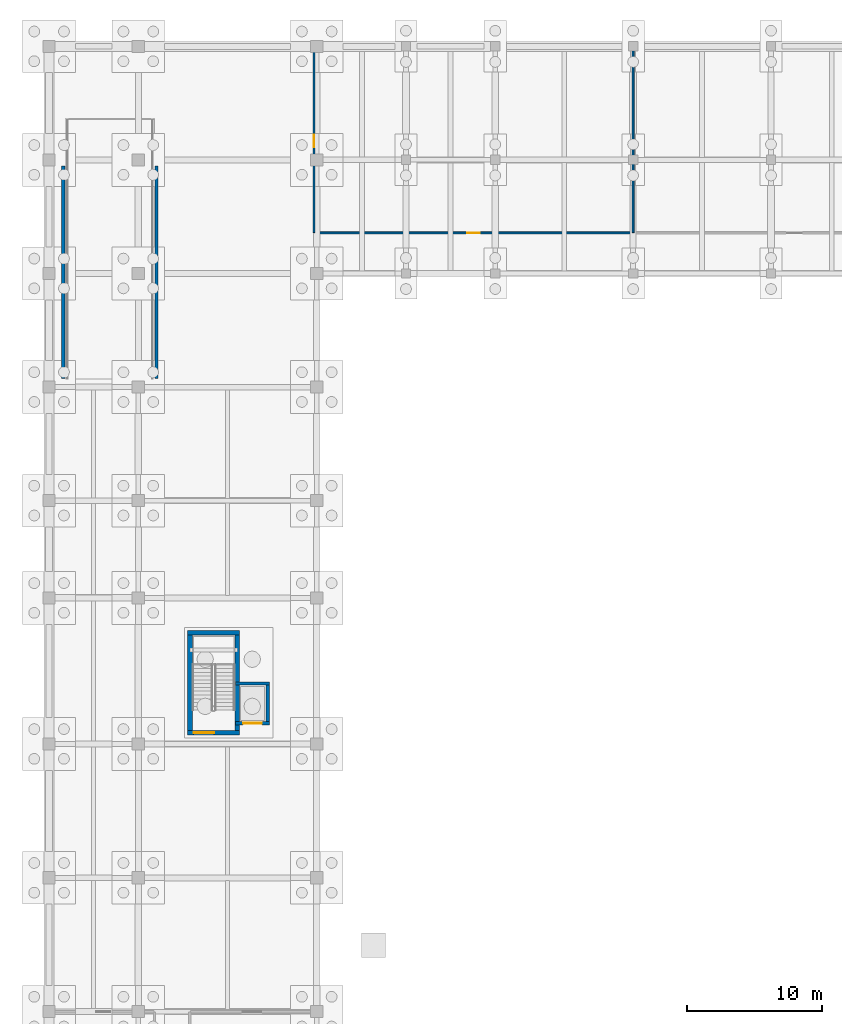
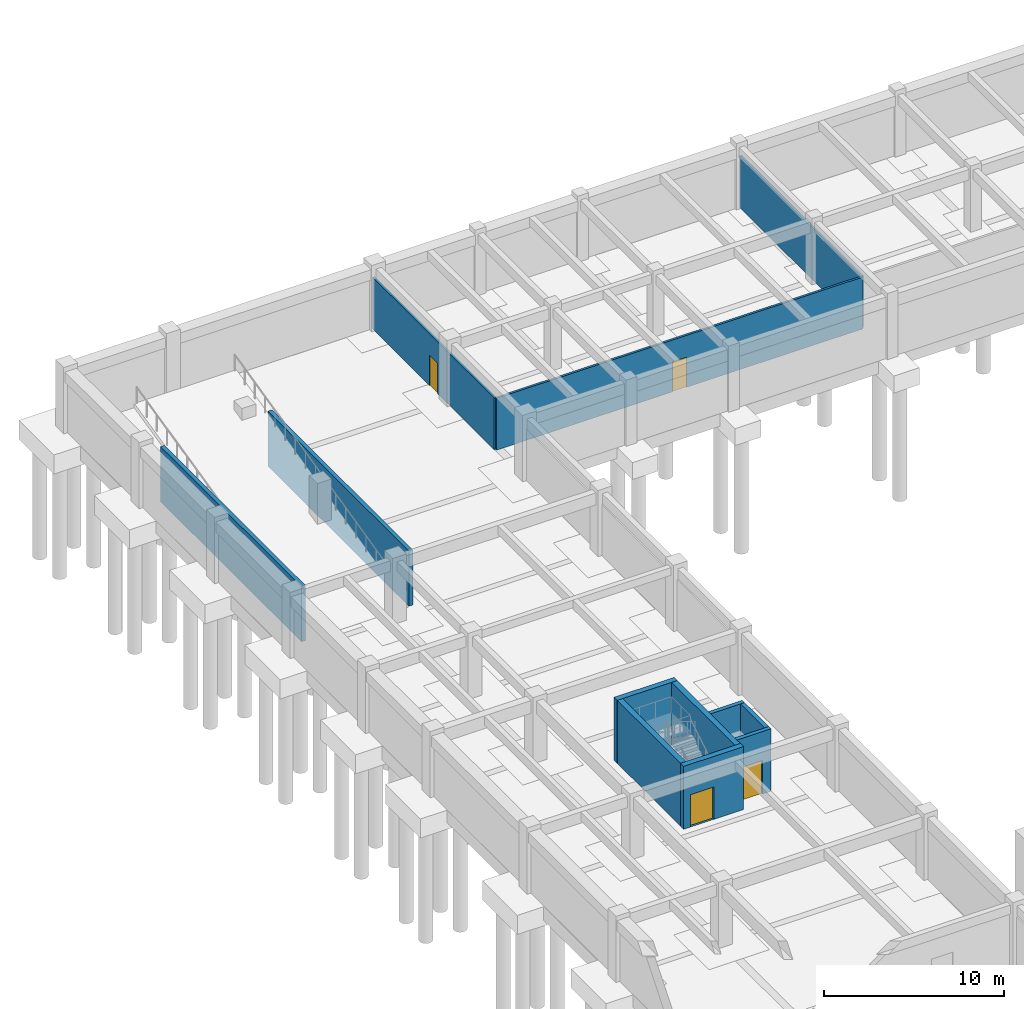
# One storey, part 19 of 28: 12 walls, 4 doors, 4 openings.
"""IFC4 building model written with IfcOpenShell, lengths in metres."""

from ifc_helpers import new_model, si_unit, direction, frame, frame_2d, origin, place, context, subcontext, project, spatial, rectangle, extrude, material, layer, layer_set, type_object, element, fill, save


model = new_model("IFC4")

# Units and contexts
model_context = context("Model", 3, precision=1e-05, world=origin(), true_north=direction((0.0, 1.0)))
body_context = subcontext(model_context, "Body", "Model", "MODEL_VIEW")
ifc_project = project(units=[si_unit("LENGTHUNIT", "METRE"), si_unit("AREAUNIT", "SQUARE_METRE"), si_unit("VOLUMEUNIT", "CUBIC_METRE"), si_unit("PLANEANGLEUNIT", "RADIAN"), si_unit("MASSUNIT", "GRAM", prefix="KILO")], contexts=[model_context])

# Site, building, storey
site_placement = place(None, origin())
site = spatial("IfcSite", under=ifc_project, at=site_placement, CompositionType="ELEMENT")
building_placement = place(site_placement, origin())
building = spatial("IfcBuilding", under=site, at=building_placement, Name="Miralva Faculty of Natural Sciences", CompositionType="ELEMENT")
storey_placement = place(building_placement, frame((0.0, 0.0, -4.5)))
storey = spatial("IfcBuildingStorey", under=building, at=storey_placement, Name="B1", CompositionType="ELEMENT", Elevation=-4.5)

# Wall, opening, door
ifc_material_1 = material(Name="Concrete C50/60", Category="concrete")
ifc_layer_1 = layer(ifc_material_1, 0.35009765625, Name="WL-CW02")
ifc_layer_set_1 = layer_set([ifc_layer_1], Name="Concrete C50/60")
wall_type_1 = type_object("IfcWallType", Name="WL-CW02", PredefinedType="SHEAR", material=ifc_layer_set_1)
wall_1_placement = place(storey_placement, frame((13.25, 66.22509765625, 0.0), z_axis=(0.0, 0.0, 1.0), x_axis=(1.0, 0.0, 0.0)))
wall_1 = element("IfcWall", 1, at=wall_1_placement, inside=storey, type_object=wall_type_1, Name="Core C2 shear wall south B1", PredefinedType="SHEAR", context=body_context, shape_type="SweptSolid", body=[
    extrude(rectangle(XDim=3.85009765625, YDim=0.35009765625, at=frame_2d((1.925048828125, 0.0))), origin(), (0.0, 0.0, 1.0), 4.280029296875),
])
opening_1_placement = place(wall_1_placement, frame((0.449951171875, 0.0, 0.0)))
opening_1 = element("IfcOpeningElement", 2, at=opening_1_placement, cuts=wall_1, Name="Opening D-11", PredefinedType="OPENING", context=body_context, shape_type="SweptSolid", body=[
    extrude(rectangle(XDim=1.5, YDim=2.199951171875, at=frame_2d((0.75, 1.10009765625))), frame((0.0, 0.18505859375, 0.0), z_axis=(0.0, -1.0, 0.0), x_axis=(1.0, 0.0, 0.0)), (0.0, 0.0, 1.0), 0.3701171875),
])
ifc_material_2 = material(Name="Galvanised steel", Category="steel")
door_type_1 = type_object("IfcDoorType", Name="DR-DI11", OperationType="DOUBLE_DOOR_SINGLE_SWING", PredefinedType="DOOR", material=ifc_material_2)
door_1_placement = place(opening_1_placement, frame((1.5, 0.0, 0.0), z_axis=(0.0, 0.0, 1.0), x_axis=(-1.0, 0.0, 0.0)))
door_1 = element("IfcDoor", 3, at=door_1_placement, inside=storey, type_object=door_type_1, Name="Protected exit stair door Core C2 B1", OperationType="DOUBLE_DOOR_SINGLE_SWING", OverallHeight=2.199951171875, OverallWidth=1.5, PredefinedType="DOOR", context=body_context, shape_type="SweptSolid", body=[
    extrude(rectangle(XDim=1.5, YDim=2.199951171875, at=frame_2d((0.75, 1.10009765625))), frame((0.0, 0.02490234375, 0.0), z_axis=(0.0, -1.0, 0.0), x_axis=(1.0, 0.0, 0.0)), (0.0, 0.0, 1.0), 0.050048828125),
])
fill(opening_1, door_1)

# Walls
wall_2_placement = place(storey_placement, frame((13.25, 73.625, 0.0), z_axis=(0.0, 0.0, 1.0), x_axis=(1.0, 0.0, 0.0)))
element("IfcWall", 4, at=wall_2_placement, inside=storey, type_object=wall_type_1, Name="Core C2 shear wall north B1", PredefinedType="SHEAR", context=body_context, shape_type="SweptSolid", body=[
    extrude(rectangle(XDim=3.85009765625, YDim=0.35009765625, at=frame_2d((1.925048828125, 0.0))), origin(), (0.0, 0.0, 1.0), 4.280029296875),
])
for number, where, z_axis, x_axis, name in (
    (5, (13.425048828125, 66.39990234375, 0.0), (0.0, 0.0, 1.0), (0.0, 1.0, 0.0), "Core C2 shear wall west B1"),
    (6, (16.925048828125, 66.39990234375, 0.0), (0.0, 0.0, 1.0), (0.0, 1.0, 0.0), "Core C2 shear wall east B1"),
):
    element("IfcWall", number, at=place(storey_placement, frame(where, z_axis=z_axis, x_axis=x_axis)), inside=storey, type_object=wall_type_1, Name=name, PredefinedType="SHEAR", context=body_context, shape_type="SweptSolid", body=[
        extrude(rectangle(XDim=7.050048828125, YDim=0.35009765625, at=frame_2d((3.52490234375, 0.0))), origin(), (0.0, 0.0, 1.0), 4.280029296875),
    ])
ifc_material_3 = material(Name="Concrete C40/50", Category="concrete")
ifc_layer_2 = layer(ifc_material_3, 0.25, Name="WL-CW04")
ifc_layer_set_2 = layer_set([ifc_layer_2], Name="Concrete C40/50")
wall_type_2 = type_object("IfcWallType", Name="WL-CW04", PredefinedType="SHEAR", material=ifc_layer_set_2)
for number, where, z_axis, x_axis, name in (
    (7, (4.050048828125, 92.449951171875, 0.0), (0.0, 0.0, 1.0), (0.0, 1.0, 0.0), "Vehicle ramp W RC support cheek wall"),
    (8, (10.949951171875, 92.449951171875, 0.0), (0.0, 0.0, 1.0), (0.0, 1.0, 0.0), "Vehicle ramp E RC support cheek wall"),
):
    element("IfcWall", number, at=place(storey_placement, frame(where, z_axis=z_axis, x_axis=x_axis)), inside=storey, type_object=wall_type_2, Name=name, PredefinedType="SHEAR", context=body_context, shape_type="SweptSolid", body=[
        extrude(rectangle(XDim=15.699951171875, YDim=0.25, at=frame_2d((7.85009765625, 0.0))), origin(), (0.0, 0.0, 1.0), 3.75),
    ])

# Wall, opening, door
wall_3_placement = place(storey_placement, frame((16.804931640625, 66.929931640625, 0.0), z_axis=(0.0, 0.0, 1.0), x_axis=(1.0, 0.0, 0.0)))
wall_3 = element("IfcWall", 9, at=wall_3_placement, inside=storey, type_object=wall_type_2, Name="Lift L-04 hoistway front wall B1", PredefinedType="SHEAR", context=body_context, shape_type="SweptSolid", body=[
    extrude(rectangle(XDim=2.489990234375, YDim=0.25, at=frame_2d((1.2451171875, 0.0))), origin(), (0.0, 0.0, 1.0), 4.260009765625),
])
opening_2_placement = place(wall_3_placement, frame((0.544921875, 0.0, 0.0)))
opening_2 = element("IfcOpeningElement", 10, at=opening_2_placement, cuts=wall_3, Name="Opening LD-04", PredefinedType="OPENING", context=body_context, shape_type="SweptSolid", body=[
    extrude(rectangle(XDim=1.39990234375, YDim=2.300048828125, at=frame_2d((0.699951171875, 1.14990234375))), frame((0.0, 0.135009765625, 0.0), z_axis=(0.0, -1.0, 0.0), x_axis=(1.0, 0.0, 0.0)), (0.0, 0.0, 1.0), 0.27001953125),
])
door_type_2 = type_object("IfcDoorType", Name="DR-LD04", OperationType="DOUBLE_DOOR_SLIDING", PredefinedType="DOOR", material=ifc_material_2)
door_2_placement = place(opening_2_placement, frame((1.39990234375, 0.0, 0.0), z_axis=(0.0, 0.0, 1.0), x_axis=(-1.0, 0.0, 0.0)))
door_2 = element("IfcDoor", 11, at=door_2_placement, inside=storey, type_object=door_type_2, Name="Lift L-04 sliding landing door B1", OperationType="DOUBLE_DOOR_SLIDING", OverallHeight=2.300048828125, OverallWidth=1.39990234375, PredefinedType="DOOR", context=body_context, shape_type="SweptSolid", body=[
    extrude(rectangle(XDim=1.39990234375, YDim=2.300048828125, at=frame_2d((0.699951171875, 1.14990234375))), frame((0.0, 0.02490234375, 0.0), z_axis=(0.0, -1.0, 0.0), x_axis=(1.0, 0.0, 0.0)), (0.0, 0.0, 1.0), 0.050048828125),
])
fill(opening_2, door_2)

# Walls
wall_4_placement = place(storey_placement, frame((16.804931640625, 69.8701171875, 0.0), z_axis=(0.0, 0.0, 1.0), x_axis=(1.0, 0.0, 0.0)))
element("IfcWall", 12, at=wall_4_placement, inside=storey, type_object=wall_type_2, Name="Lift L-04 hoistway rear wall B1", PredefinedType="SHEAR", context=body_context, shape_type="SweptSolid", body=[
    extrude(rectangle(XDim=2.489990234375, YDim=0.25, at=frame_2d((1.2451171875, 0.0))), origin(), (0.0, 0.0, 1.0), 4.260009765625),
])
wall_5_placement = place(storey_placement, frame((19.169921875, 67.054931640625, 0.0), z_axis=(0.0, 0.0, 1.0), x_axis=(0.0, 1.0, 0.0)))
element("IfcWall", 13, at=wall_5_placement, inside=storey, type_object=wall_type_2, Name="Lift L-04 hoistway E wall B1", PredefinedType="SHEAR", context=body_context, shape_type="SweptSolid", body=[
    extrude(rectangle(XDim=2.690185546875, YDim=0.25, at=frame_2d((1.34521484375, 0.0))), origin(), (0.0, 0.0, 1.0), 4.260009765625),
])

# Wall, opening, door
ifc_material_4 = material(Name="Gypsum plasterboard")
ifc_layer_3 = layer(ifc_material_4, 0.139892578125, Name="WL-PT04")
ifc_layer_set_3 = layer_set([ifc_layer_3], Name="Gypsum plasterboard")
wall_type_3 = type_object("IfcWallType", Name="WL-PT04", PredefinedType="PARTITIONING", material=ifc_layer_set_3)
wall_6_placement = place(storey_placement, frame((22.60009765625, 103.22998046875, 0.0), z_axis=(0.0, 0.0, 1.0), x_axis=(0.0, 1.0, 0.0)))
wall_6 = element("IfcWall", 14, at=wall_6_placement, inside=storey, type_object=wall_type_3, Name="Interior partition PT-04 B1-27", PredefinedType="PARTITIONING", context=body_context, shape_type="SweptSolid", body=[
    extrude(rectangle(XDim=13.5400390625, YDim=0.139892578125, at=frame_2d((6.77001953125, 0.0))), origin(), (0.0, 0.0, 1.0), 3.52490234375),
])
opening_3_placement = place(wall_6_placement, frame((6.320068359375, 0.0, 0.0)))
opening_3 = element("IfcOpeningElement", 15, at=opening_3_placement, cuts=wall_6, Name="Opening D-28", PredefinedType="OPENING", context=body_context, shape_type="SweptSolid", body=[
    extrude(rectangle(XDim=0.89990234375, YDim=2.050048828125, at=frame_2d((0.449951171875, 1.02490234375))), frame((0.0, 0.079833984375, 0.0), z_axis=(0.0, -1.0, 0.0), x_axis=(1.0, 0.0, 0.0)), (0.0, 0.0, 1.0), 0.159912109375),
])
ifc_material_5 = material(Name="Anodised aluminium", Category="aluminium")
door_type_3 = type_object("IfcDoorType", Name="DR-DI28", OperationType="NOTDEFINED", PredefinedType="DOOR", material=ifc_material_5)
door_3_placement = place(opening_3_placement, origin())
door_3 = element("IfcDoor", 16, at=door_3_placement, inside=storey, type_object=door_type_3, Name="Interior door D-28 B1-14", OperationType="SINGLE_SWING_LEFT", OverallHeight=2.050048828125, OverallWidth=0.89990234375, PredefinedType="DOOR", context=body_context, shape_type="SweptSolid", body=[
    extrude(rectangle(XDim=0.89990234375, YDim=2.050048828125, at=frame_2d((0.449951171875, 1.02490234375))), frame((0.0, 0.02490234375, 0.0), z_axis=(0.0, -1.0, 0.0), x_axis=(1.0, 0.0, 0.0)), (0.0, 0.0, 1.0), 0.050048828125),
])
fill(opening_3, door_3)

# Wall
wall_7_placement = place(storey_placement, frame((46.199951171875, 103.22998046875, 0.0), z_axis=(0.0, 0.0, 1.0), x_axis=(0.0, 1.0, 0.0)))
element("IfcWall", 17, at=wall_7_placement, inside=storey, type_object=wall_type_3, Name="Interior partition PT-04 B1-28", PredefinedType="PARTITIONING", context=body_context, shape_type="SweptSolid", body=[
    extrude(rectangle(XDim=13.5400390625, YDim=0.139892578125, at=frame_2d((6.77001953125, 0.0))), origin(), (0.0, 0.0, 1.0), 3.52490234375),
])

# Wall, opening, door
wall_8_placement = place(storey_placement, frame((22.6298828125, 103.199951171875, 0.0), z_axis=(0.0, 0.0, 1.0), x_axis=(1.0, 0.0, 0.0)))
wall_8 = element("IfcWall", 18, at=wall_8_placement, inside=storey, type_object=wall_type_3, Name="Interior partition PT-04 B1-29", PredefinedType="PARTITIONING", context=body_context, shape_type="SweptSolid", body=[
    extrude(rectangle(XDim=23.5400390625, YDim=0.139892578125, at=frame_2d((11.77001953125, 0.0))), origin(), (0.0, 0.0, 1.0), 3.52490234375),
])
opening_4_placement = place(wall_8_placement, frame((11.320068359375, 0.0, 0.0)))
opening_4 = element("IfcOpeningElement", 19, at=opening_4_placement, cuts=wall_8, Name="Opening D-28", PredefinedType="OPENING", context=body_context, shape_type="SweptSolid", body=[
    extrude(rectangle(XDim=0.89990234375, YDim=2.050048828125, at=frame_2d((0.449951171875, 1.02490234375))), frame((0.0, 0.079833984375, 0.0), z_axis=(0.0, -1.0, 0.0), x_axis=(1.0, 0.0, 0.0)), (0.0, 0.0, 1.0), 0.159912109375),
])
door_4_placement = place(opening_4_placement, origin())
door_4 = element("IfcDoor", 20, at=door_4_placement, inside=storey, type_object=door_type_3, Name="Interior door D-28 B1-15", OperationType="SINGLE_SWING_RIGHT", OverallHeight=2.050048828125, OverallWidth=0.89990234375, PredefinedType="DOOR", context=body_context, shape_type="SweptSolid", body=[
    extrude(rectangle(XDim=0.89990234375, YDim=2.050048828125, at=frame_2d((0.449951171875, 1.02490234375))), frame((0.0, 0.02490234375, 0.0), z_axis=(0.0, -1.0, 0.0), x_axis=(1.0, 0.0, 0.0)), (0.0, 0.0, 1.0), 0.050048828125),
])
fill(opening_4, door_4)

save(model, "model.ifc")
